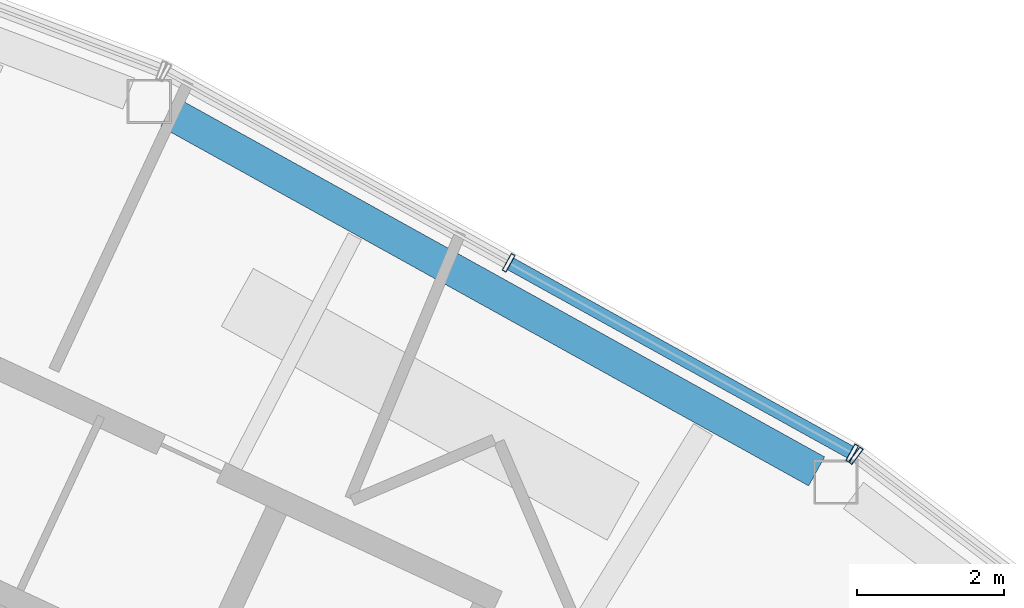
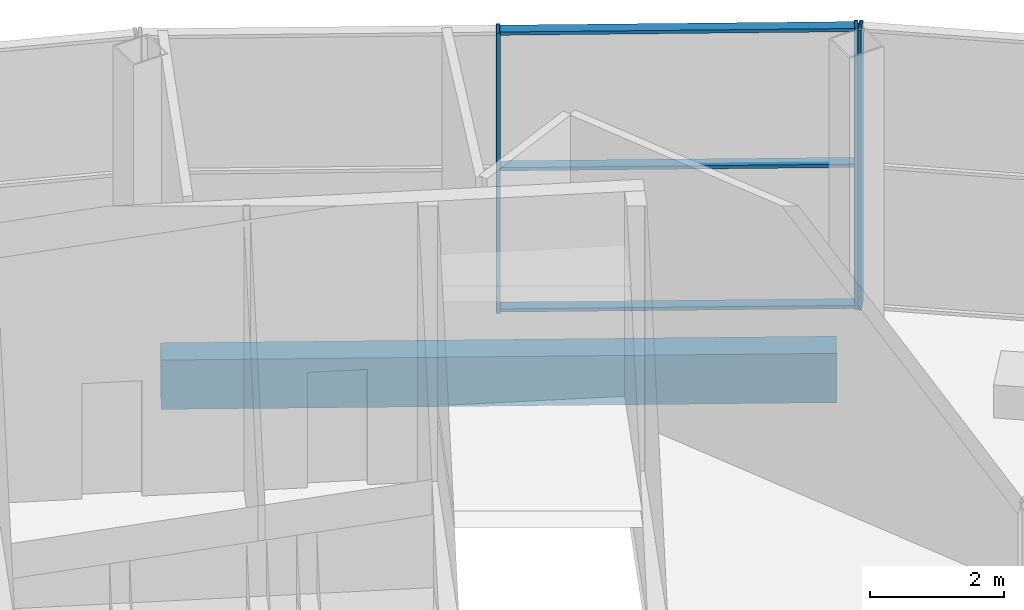
# One storey, part 32 of 43: 6 members, 1 beam, 2 elements without a shape of their own.
"""IFC4 building model written with IfcOpenShell, lengths in metres."""

from ifc_helpers import new_model, si_unit, direction, frame, origin, origin_2d, place, context, subcontext, project, spatial, hollow_rectangle, extrude, material, layer, layer_set, material_profile, profile_set, type_object, element, aggregate, save


model = new_model("IFC4")

# Units and contexts
model_context = context("Model", 3, precision=1e-05, world=origin(), true_north=direction((0.0, 1.0)))
body_context = subcontext(model_context, "Body", "Model", "MODEL_VIEW")
ifc_project = project(units=[si_unit("LENGTHUNIT", "METRE"), si_unit("AREAUNIT", "SQUARE_METRE"), si_unit("VOLUMEUNIT", "CUBIC_METRE"), si_unit("PLANEANGLEUNIT", "RADIAN"), si_unit("MASSUNIT", "GRAM", prefix="KILO")], contexts=[model_context])

# Site, building, storey
site_placement = place(None, origin())
site = spatial("IfcSite", under=ifc_project, at=site_placement, CompositionType="ELEMENT")
building_placement = place(site_placement, origin())
building = spatial("IfcBuilding", under=site, at=building_placement, Name="Tuul Gate Civic Tower", CompositionType="ELEMENT")
storey_placement = place(building_placement, frame((0.0, 0.0, 349.10009765625)))
storey = spatial("IfcBuildingStorey", under=building, at=storey_placement, Name="Observation level 1", CompositionType="ELEMENT", Elevation=349.10009765625)

# Curtain wall, member
ifc_material_1 = material(Name="Stainless steel", Category="steel")
ifc_layer = layer(ifc_material_1, 0.199951171875)
ifc_layer_set = layer_set([ifc_layer], Name="Stainless steel")
curtain_wall_type = type_object("IfcCurtainWallType", Name="Curtain wall CW4", PredefinedType="NOTDEFINED", material=ifc_layer_set)
curtain_wall_1_placement = place(storey_placement, origin())
curtain_wall_1 = element("IfcCurtainWall", 1, at=curtain_wall_1_placement, inside=storey, type_object=curtain_wall_type, Name="Curtain wall CW4", PredefinedType="NOTDEFINED")
ifc_material_2 = material(Name="Stainless steel", Category="steel")
ifc_material_profile_1 = material_profile(ifc_material_2, hollow_rectangle(XDim=0.260009765625, YDim=0.06005859375, WallThickness=0.006103515625, at=origin_2d()), Name="CW4 mullion")
ifc_profile_set_1 = profile_set([ifc_material_profile_1], Name="Stainless steel")
member_type_1 = type_object("IfcMemberType", Name="CW4 mullion", PredefinedType="MULLION", material=ifc_profile_set_1)
member_1_placement = place(storey_placement, frame((42.864990234375, 2.164794921875, 0.0), z_axis=(0.0, 0.0, 1.0), x_axis=(-0.605807600786, -0.795611180684, 0.0)))
member_1 = element("IfcMember", 2, at=member_1_placement, type_object=member_type_1, Name="Mullion", PredefinedType="MULLION", context=body_context, shape_type="SweptSolid", body=[
    extrude(hollow_rectangle(XDim=0.260009765625, YDim=0.06005859375, WallThickness=0.006103515625, at=origin_2d()), origin(), (0.0, 0.0, 1.0), 5.099853515625),
])
aggregate(curtain_wall_1, [member_1])

# Curtain wall, members
curtain_wall_2_placement = place(storey_placement, origin())
curtain_wall_2 = element("IfcCurtainWall", 3, at=curtain_wall_2_placement, inside=storey, type_object=curtain_wall_type, Name="Curtain wall CW4", PredefinedType="NOTDEFINED")
member_2_placement = place(storey_placement, frame((42.814697265625, 2.197509765625, 0.0), z_axis=(0.0, 0.0, 1.0), x_axis=(-0.48478912347, -0.874631068374, 0.0)))
member_2 = element("IfcMember", 4, at=member_2_placement, type_object=member_type_1, Name="Mullion", PredefinedType="MULLION", context=body_context, shape_type="SweptSolid", body=[
    extrude(hollow_rectangle(XDim=0.260009765625, YDim=0.06005859375, WallThickness=0.006103515625, at=origin_2d()), origin(), (0.0, 0.0, 1.0), 5.099853515625),
])
member_3_placement = place(storey_placement, frame((38.14306640625, 4.787109375, 0.0), z_axis=(0.0, 0.0, 1.0), x_axis=(-0.48478912347, -0.874631068374, 0.0)))
member_3 = element("IfcMember", 5, at=member_3_placement, type_object=member_type_1, Name="Mullion", PredefinedType="MULLION", context=body_context, shape_type="SweptSolid", body=[
    extrude(hollow_rectangle(XDim=0.260009765625, YDim=0.06005859375, WallThickness=0.006103515625, at=origin_2d()), origin(), (0.0, 0.0, 1.0), 5.099853515625),
])
ifc_material_3 = material(Name="Stainless steel", Category="steel")
ifc_material_profile_2 = material_profile(ifc_material_3, hollow_rectangle(XDim=0.179931640625, YDim=0.06005859375, WallThickness=0.006103515625, at=origin_2d()), Name="CW4 transom")
ifc_profile_set_2 = profile_set([ifc_material_profile_2], Name="Stainless steel")
member_type_2 = type_object("IfcMemberType", Name="CW4 transom", PredefinedType="USERDEFINED", material=ifc_profile_set_2)
member_4_placement = place(storey_placement, frame((42.78857421875, 2.212158203125, 0.02978515625), z_axis=(-0.874640905911, 0.484771374678, 0.0), x_axis=(-0.484771374678, -0.874640905911, 0.0)))
member_4 = element("IfcMember", 6, at=member_4_placement, type_object=member_type_2, Name="Transom", ObjectType="TRANSOM", PredefinedType="USERDEFINED", context=body_context, shape_type="SweptSolid", body=[
    extrude(hollow_rectangle(XDim=0.179931640625, YDim=0.06005859375, WallThickness=0.006103515625, at=origin_2d()), origin(), (0.0, 0.0, 1.0), 5.281494140625),
])
member_5_placement = place(storey_placement, frame((42.78857421875, 2.212158203125, 2.599853515625), z_axis=(-0.874640905911, 0.484771374678, 0.0), x_axis=(-0.484771374678, -0.874640905911, 0.0)))
member_5 = element("IfcMember", 7, at=member_5_placement, type_object=member_type_2, Name="Transom", ObjectType="TRANSOM", PredefinedType="USERDEFINED", context=body_context, shape_type="SweptSolid", body=[
    extrude(hollow_rectangle(XDim=0.179931640625, YDim=0.06005859375, WallThickness=0.006103515625, at=origin_2d()), origin(), (0.0, 0.0, 1.0), 5.281494140625),
])
member_6_placement = place(storey_placement, frame((42.78857421875, 2.212158203125, 5.06982421875), z_axis=(-0.874640905911, 0.484771374678, 0.0), x_axis=(-0.484771374678, -0.874640905911, 0.0)))
member_6 = element("IfcMember", 8, at=member_6_placement, type_object=member_type_2, Name="Transom", ObjectType="TRANSOM", PredefinedType="USERDEFINED", context=body_context, shape_type="SweptSolid", body=[
    extrude(hollow_rectangle(XDim=0.179931640625, YDim=0.06005859375, WallThickness=0.006103515625, at=origin_2d()), origin(), (0.0, 0.0, 1.0), 5.281494140625),
])
aggregate(curtain_wall_2, [member_2, member_3, member_4, member_5, member_6])

# Beam
ifc_material_4 = material(Name="Steel S355", Category="steel")
ifc_material_profile_3 = material_profile(ifc_material_4, hollow_rectangle(XDim=0.449951171875, YDim=0.89990234375, WallThickness=0.02490234375, at=origin_2d()), Name="BOX900x450x25")
ifc_profile_set_3 = profile_set([ifc_material_profile_3], Name="Steel S355")
beam_type = type_object("IfcBeamType", Name="STR-SPANDREL BEAM-BOX900x450x25", PredefinedType="BEAM", material=ifc_profile_set_3)
beam_placement = place(storey_placement, frame((42.33154296875, 1.950439453125, -0.85009765625), z_axis=(-0.874588911386, 0.484865173095, 0.0), x_axis=(-0.484865173095, -0.874588911386, 0.0)))
element("IfcBeam", 9, at=beam_placement, inside=storey, type_object=beam_type, Name="Spandrel beam", PredefinedType="BEAM", context=body_context, shape_type="SweptSolid", body=[
    extrude(hollow_rectangle(XDim=0.449951171875, YDim=0.89990234375, WallThickness=0.02490234375, at=origin_2d()), origin(), (0.0, 0.0, 1.0), 10.076904296875),
])

save(model, "model.ifc")
